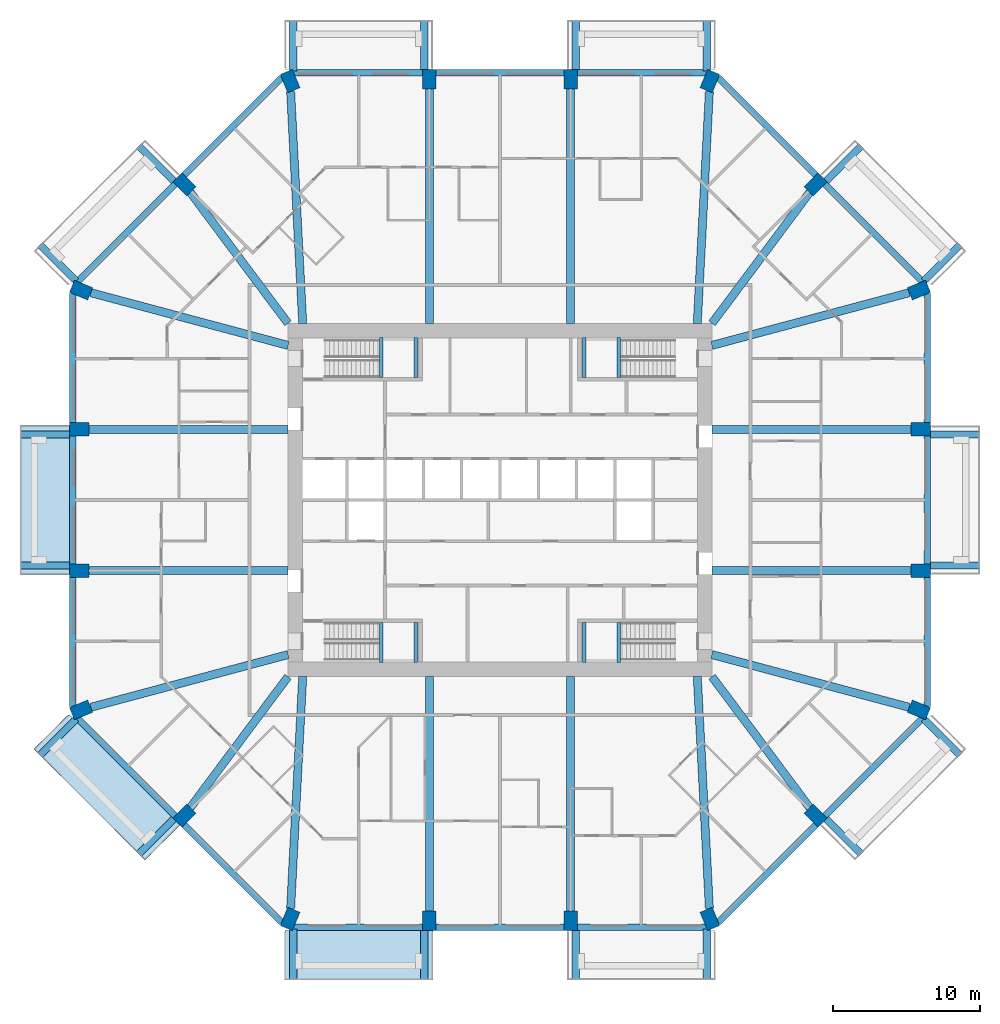
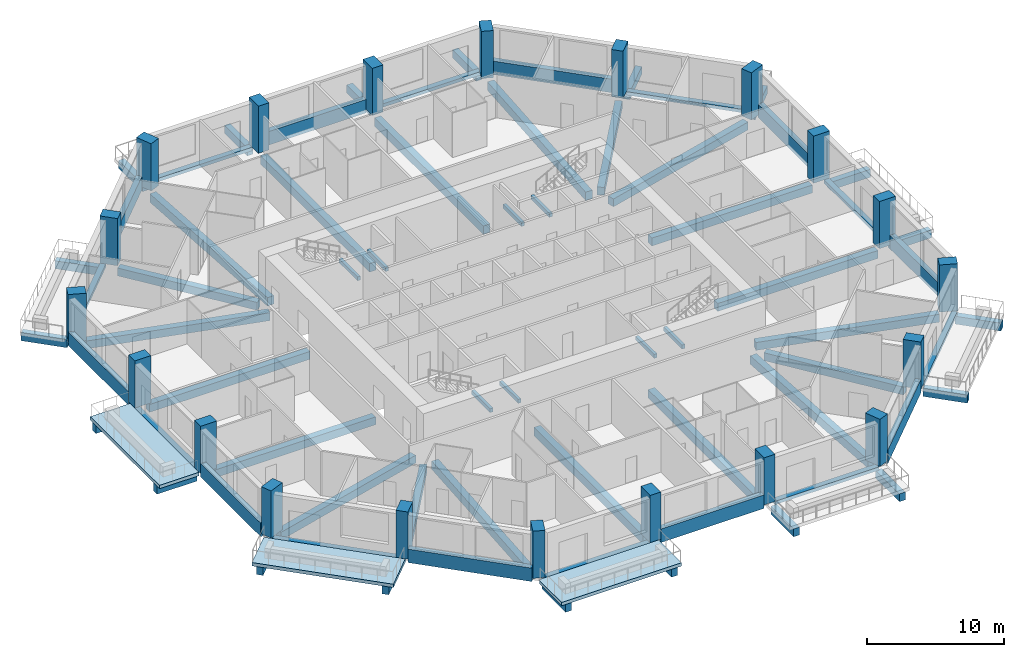
# One storey, part 1 of 13: 68 beams, 20 columns, 3 slabs.
"""IFC4 building model written with IfcOpenShell, lengths in metres."""

import ifcopenshell
import ifcopenshell.guid

model = None  # the IFC model being written
_history = None  # IfcOwnerHistory: only IFC2X3 demands one
_inside = {}  # id of a spatial element -> (the spatial element, [elements in it])
_under = {}  # id of a project, library or spatial element -> (it, [spatial elements below it])
_declared = {}  # id of a project -> (the project, [libraries it declares])
_typed = {}  # id of a type object -> (the type object, [elements of that type])
_made_of = {}  # id of a material, layer set ... -> (it, [elements and type objects made of it])


def new_model(schema):
    """Start an empty IFC model of exactly this schema.

    Asked for "IFC4X3", IfcOpenShell would pick the latest addendum, in which some entities
    have other attributes; the version numbers below select the first issue.
    IFC2X3 requires an IfcOwnerHistory on every rooted entity: one is made here for all.
    """
    global model, _history
    if schema == "IFC4X3":
        model = ifcopenshell.file(schema_version=(4, 3, 0, 0))
    else:
        model = ifcopenshell.file(schema=schema)
    _inside.clear()
    _under.clear()
    _declared.clear()
    _typed.clear()
    _made_of.clear()
    _history = None
    if model.schema == "IFC2X3":
        org = make("IfcOrganization", Name="unknown")
        user = make(
            "IfcPersonAndOrganization",
            ThePerson=make("IfcPerson", FamilyName="unknown"),
            TheOrganization=org,
        )
        app = make(
            "IfcApplication",
            ApplicationDeveloper=org,
            Version="unknown",
            ApplicationFullName="unknown",
            ApplicationIdentifier="unknown",
        )
        _history = make(
            "IfcOwnerHistory",
            OwningUser=user,
            OwningApplication=app,
            ChangeAction="ADDED",
            CreationDate=0,
        )
    return model


def make(cls, **values):
    """One entity of the class cls with the attributes given. An attribute that is None is left unset."""
    return model.create_entity(
        cls, **{name: value for name, value in values.items() if value is not None}
    )


def rooted(cls, **values):
    """An entity with a GlobalId (a new one), such as an element, a storey or a relation."""
    return make(cls, GlobalId=ifcopenshell.guid.new(), OwnerHistory=_history, **values)


def si_unit(unit_type, name, prefix=None):
    """IfcSIUnit, for example si_unit("LENGTHUNIT", "METRE", prefix="MILLI")."""
    return make("IfcSIUnit", UnitType=unit_type, Prefix=prefix, Name=name)


def assignment(units):
    """IfcUnitAssignment: the units of a project."""
    return None if units is None else make("IfcUnitAssignment", Units=units)


def point(xyz):
    """IfcCartesianPoint."""
    return None if xyz is None else make("IfcCartesianPoint", Coordinates=xyz)


def direction(xyz):
    """IfcDirection."""
    return None if xyz is None else make("IfcDirection", DirectionRatios=xyz)


def frame(location, z_axis=None, x_axis=None):
    """IfcAxis2Placement3D, a coordinate frame: its origin and axes. An axis left out is left unset."""
    return make(
        "IfcAxis2Placement3D",
        Location=point(location),
        Axis=direction(z_axis),
        RefDirection=direction(x_axis),
    )


def frame_2d(location, x_axis=None):
    """IfcAxis2Placement2D, a coordinate frame in the plane: its origin and x axis."""
    return make(
        "IfcAxis2Placement2D", Location=point(location), RefDirection=direction(x_axis)
    )


def origin():
    """The frame at (0, 0, 0) with its axes left unset."""
    return frame((0.0, 0.0, 0.0))


def origin_2d():
    """The frame at (0, 0) in the plane with its x axis left unset."""
    return frame_2d((0.0, 0.0))


def place(relative_to, where):
    """IfcLocalPlacement: puts the frame where relative to a parent placement (None: the world)."""
    return make(
        "IfcLocalPlacement", PlacementRelTo=relative_to, RelativePlacement=where
    )


def context(
    kind, dimensions, precision=None, world=None, true_north=None, identifier=None
):
    """IfcGeometricRepresentationContext, for example the 3D "Model" context."""
    return make(
        "IfcGeometricRepresentationContext",
        ContextIdentifier=identifier,
        ContextType=kind,
        CoordinateSpaceDimension=dimensions,
        Precision=precision,
        WorldCoordinateSystem=world,
        TrueNorth=true_north,
    )


def subcontext(parent, identifier, kind, view, scale=None):
    """IfcGeometricRepresentationSubContext, for example "Body" below "Model"."""
    return make(
        "IfcGeometricRepresentationSubContext",
        ContextIdentifier=identifier,
        ContextType=kind,
        ParentContext=parent,
        TargetScale=scale,
        TargetView=view,
    )


def project(units=None, contexts=None):
    """IfcProject with its units and contexts."""
    return rooted(
        "IfcProject",
        Name="project",
        RepresentationContexts=contexts,
        UnitsInContext=assignment(units),
    )


def spatial(cls, under=None, at=None, **own):
    """A site, building, storey or space (cls), placed at a placement, below another one or the project."""
    s = rooted(cls, ObjectPlacement=at, **own)
    if under is not None:
        _under.setdefault(under.id(), (under, []))[1].append(s)
    return s


def polyline(points):
    """IfcPolyline through the points."""
    return make("IfcPolyline", Points=[point(p) for p in points])


def profile(cls, at=None, kind="AREA", **sizes):
    """A parametric profile (cls). Its sizes go by their IFC names, for example OverallWidth=200.0."""
    return make(cls, ProfileType=kind, Position=at, **sizes)


def rectangle(**sizes):
    """IfcRectangleProfileDef."""
    return profile("IfcRectangleProfileDef", **sizes)


def outline(outer, holes=None, kind="AREA"):
    """IfcArbitraryClosedProfileDef: a profile drawn as a closed curve; with holes, ...WithVoids."""
    if holes is None:
        return make("IfcArbitraryClosedProfileDef", ProfileType=kind, OuterCurve=outer)
    return make(
        "IfcArbitraryProfileDefWithVoids",
        ProfileType=kind,
        OuterCurve=outer,
        InnerCurves=holes,
    )


def extrude(swept, where, along, depth):
    """IfcExtrudedAreaSolid: the profile swept, set in the frame where, extruded along a direction by depth."""
    return make(
        "IfcExtrudedAreaSolid",
        SweptArea=swept,
        Position=where,
        ExtrudedDirection=direction(along),
        Depth=depth,
    )


def shape(context_of_items, identifier, shape_type, items):
    """IfcShapeRepresentation: the items that make up one representation, for example the "Body"."""
    return make(
        "IfcShapeRepresentation",
        ContextOfItems=context_of_items,
        RepresentationIdentifier=identifier,
        RepresentationType=shape_type,
        Items=items,
    )


def material(Name=None, Category=None):
    """IfcMaterial."""
    return make("IfcMaterial", Name=Name, Category=Category)


def layer(
    of_material, thickness, ventilated=None, Name=None, Category=None, Priority=None
):
    """IfcMaterialLayer: one layer of a wall or slab, of a material (None: an air gap)."""
    return make(
        "IfcMaterialLayer",
        Material=of_material,
        LayerThickness=thickness,
        IsVentilated=ventilated,
        Name=Name,
        Category=Category,
        Priority=Priority,
    )


def layer_set(layers, Name=None):
    """IfcMaterialLayerSet."""
    return make("IfcMaterialLayerSet", MaterialLayers=layers, LayerSetName=Name)


def material_profile(
    of_material, cross_section, Name=None, Category=None, Priority=None
):
    """IfcMaterialProfile: a cross section and its material."""
    return make(
        "IfcMaterialProfile",
        Name=Name,
        Material=of_material,
        Profile=cross_section,
        Priority=Priority,
        Category=Category,
    )


def profile_set(profiles, Name=None, composite=None):
    """IfcMaterialProfileSet."""
    return make(
        "IfcMaterialProfileSet",
        Name=Name,
        MaterialProfiles=profiles,
        CompositeProfile=composite,
    )


def made_of(thing, what):
    """Note that an element or type object is made of a material, layer set ...; save() writes the relation."""
    if what is not None:
        _made_of.setdefault(what.id(), (what, []))[1].append(thing)
    return thing


def type_object(cls, material=None, **own):
    """A type object (cls), such as IfcWallType, which elements share."""
    return made_of(rooted(cls, **own), material)


def element(
    cls,
    number,
    at=None,
    inside=None,
    cuts=None,
    type_object=None,
    material=None,
    context=None,
    identifier="Body",
    shape_type=None,
    held_by="IfcProductDefinitionShape",
    body=None,
    shapes=None,
    **own,
):
    """One element of the class cls, such as IfcWall. Its Tag is "e" and its number.

    at: its placement. inside: the storey or other place that contains it. cuts: it is an
    opening in that element (IfcRelVoidsElement). A single representation is given by context,
    identifier, shape_type and body (its items); several are given by shapes. held_by: the class
    of the entity that holds the representations. save() writes the other relations.
    """
    e = rooted(cls, Tag="e%d" % number, ObjectPlacement=at, **own)
    if body is not None:
        shapes = [shape(context, identifier, shape_type, body)]
    if shapes is not None:
        e.Representation = make(held_by, Representations=shapes)
    if inside is not None:
        _inside.setdefault(inside.id(), (inside, []))[1].append(e)
    if cuts is not None:
        rooted(
            "IfcRelVoidsElement", RelatingBuildingElement=cuts, RelatedOpeningElement=e
        )
    if type_object is not None:
        _typed.setdefault(type_object.id(), (type_object, []))[1].append(e)
    return made_of(e, material)


def aggregate(whole, parts):
    """IfcRelAggregates: a whole, such as a stair, and the parts it consists of."""
    return rooted("IfcRelAggregates", RelatingObject=whole, RelatedObjects=parts)


def save(model, path):
    """Write the relations noted so far, then the file.

    IfcRelAggregates (storeys below a building ...), IfcRelContainedInSpatialStructure (elements
    in a storey), IfcRelDefinesByType, IfcRelAssociatesMaterial and IfcRelDeclares: one each for
    every whole, place, type object, material and project.
    """
    for whole, parts in _under.values():
        aggregate(whole, parts)
    for where, things in _inside.values():
        rooted(
            "IfcRelContainedInSpatialStructure",
            RelatedElements=things,
            RelatingStructure=where,
        )
    for kind, things in _typed.values():
        rooted("IfcRelDefinesByType", RelatedObjects=things, RelatingType=kind)
    for what, things in _made_of.values():
        rooted("IfcRelAssociatesMaterial", RelatedObjects=things, RelatingMaterial=what)
    for by, libraries in _declared.values():
        rooted("IfcRelDeclares", RelatingContext=by, RelatedDefinitions=libraries)
    model.write(path)


model = new_model("IFC4")

# Units and contexts
model_context = context("Model", 3, precision=1e-05, world=origin(), true_north=direction((0.0, 1.0)))
body_context = subcontext(model_context, "Body", "Model", "MODEL_VIEW")
ifc_project = project(units=[si_unit("LENGTHUNIT", "METRE"), si_unit("AREAUNIT", "SQUARE_METRE"), si_unit("VOLUMEUNIT", "CUBIC_METRE"), si_unit("PLANEANGLEUNIT", "RADIAN"), si_unit("MASSUNIT", "GRAM", prefix="KILO")], contexts=[model_context])

# Site, building, storey
site_placement = place(None, origin())
site = spatial("IfcSite", under=ifc_project, at=site_placement, CompositionType="ELEMENT")
building_placement = place(site_placement, origin())
building = spatial("IfcBuilding", under=site, at=building_placement, Name="Msitu Wima Residences", CompositionType="ELEMENT")
storey_placement = place(building_placement, frame((0.0, 0.0, 38.10009765625)))
storey = spatial("IfcBuildingStorey", under=building, at=storey_placement, Name="L08", CompositionType="ELEMENT", Elevation=38.10009765625)

# Columns
ifc_material_1 = material(Name="Concrete C80/95", Category="concrete")
ifc_material_profile_1 = material_profile(ifc_material_1, rectangle(XDim=0.89990234375, YDim=1.35009765625, at=origin_2d()), Name="RC 900x1350")
ifc_profile_set_1 = profile_set([ifc_material_profile_1], Name="Concrete C80/95")
column_type = type_object("IfcColumnType", Name="Column RC 900x1350 Concrete C80/95", PredefinedType="COLUMN", material=ifc_profile_set_1)
for number, where, z_axis, x_axis, name in (
    (1, (28.4541015625, -14.2568359375, 0.0), (0.0, 0.0, 1.0), (0.382683496864, 0.923879505795, 0.0), "Column L08 C-E0"),
    (2, (28.574951171875, -4.800048828125, 0.0), (0.0, 0.0, 1.0), (0.0, 1.0, 0.0), "Column L08 C-E1"),
    (3, (28.574951171875, 4.800048828125, 0.0), (0.0, 0.0, 1.0), (0.0, 1.0, 0.0), "Column L08 C-E2"),
    (4, (28.4541015625, 14.2568359375, 0.0), (0.0, 0.0, 1.0), (-0.382683496864, 0.923879505795, 0.0), "Column L08 C-NE0"),
    (5, (21.44091796875, 21.44091796875, 0.0), (0.0, 0.0, 1.0), (-0.707106781187, 0.707106781187, 0.0), "Column L08 C-NE1"),
    (6, (14.2568359375, 28.4541015625, 0.0), (0.0, 0.0, 1.0), (-0.923879505795, 0.382683496864, 0.0), "Column L08 C-N0"),
    (7, (4.800048828125, 28.574951171875, 0.0), (0.0, 0.0, 1.0), (-1.0, 0.0, 0.0), "Column L08 C-N1"),
    (8, (-4.800048828125, 28.574951171875, 0.0), (0.0, 0.0, 1.0), (-1.0, 0.0, 0.0), "Column L08 C-N2"),
    (9, (-14.2568359375, 28.4541015625, 0.0), (0.0, 0.0, 1.0), (-0.923879505795, -0.382683496864, 0.0), "Column L08 C-NW0"),
    (10, (-21.44091796875, 21.44091796875, 0.0), (0.0, 0.0, 1.0), (-0.707106781187, -0.707106781187, 0.0), "Column L08 C-NW1"),
    (11, (-28.4541015625, 14.2568359375, 0.0), (0.0, 0.0, 1.0), (-0.382683496864, -0.923879505795, 0.0), "Column L08 C-W0"),
    (12, (-28.574951171875, 4.800048828125, 0.0), (0.0, 0.0, 1.0), (0.0, -1.0, 0.0), "Column L08 C-W1"),
    (13, (-28.574951171875, -4.800048828125, 0.0), (0.0, 0.0, 1.0), (0.0, -1.0, 0.0), "Column L08 C-W2"),
    (14, (-28.4541015625, -14.2568359375, 0.0), (0.0, 0.0, 1.0), (0.382683496864, -0.923879505795, 0.0), "Column L08 C-SW0"),
    (15, (-21.44091796875, -21.44091796875, 0.0), (0.0, 0.0, 1.0), (0.707106781187, -0.707106781187, 0.0), "Column L08 C-SW1"),
    (16, (-14.2568359375, -28.4541015625, 0.0), (0.0, 0.0, 1.0), (0.923879505795, -0.382683496864, 0.0), "Column L08 C-S0"),
    (17, (-4.800048828125, -28.574951171875, 0.0), (0.0, 0.0, 1.0), (1.0, 0.0, 0.0), "Column L08 C-S1"),
    (18, (4.800048828125, -28.574951171875, 0.0), (0.0, 0.0, 1.0), (1.0, 0.0, 0.0), "Column L08 C-S2"),
    (19, (14.2568359375, -28.4541015625, 0.0), (0.0, 0.0, 1.0), (0.923879505795, 0.382683496864, 0.0), "Column L08 C-SE0"),
    (20, (21.44091796875, -21.44091796875, 0.0), (0.0, 0.0, 1.0), (0.707106781187, 0.707106781187, 0.0), "Column L08 C-SE1"),
):
    element("IfcColumn", number, at=place(storey_placement, frame(where, z_axis=z_axis, x_axis=x_axis)), inside=storey, type_object=column_type, Name=name, PredefinedType="COLUMN", context=body_context, shape_type="SweptSolid", body=[
        extrude(rectangle(XDim=0.89990234375, YDim=1.35009765625, at=origin_2d()), origin(), (0.0, 0.0, 1.0), 4.199951171875),
    ])

# Beams
ifc_material_2 = material(Name="Concrete C50/60", Category="concrete")
ifc_material_profile_2 = material_profile(ifc_material_2, rectangle(XDim=0.550048828125, YDim=0.699951171875, at=origin_2d()), Name="RC 550x700")
ifc_profile_set_2 = profile_set([ifc_material_profile_2], Name="Concrete C50/60")
beam_type_1 = type_object("IfcBeamType", Name="Beam RC 550x700 Concrete C50/60", PredefinedType="BEAM", material=ifc_profile_set_2)
beam_1_placement = place(storey_placement, frame((27.79638671875, -14.080810546875, -0.60009765625), z_axis=(-0.966081778408, 0.258236320891, 0.0), x_axis=(-0.258236320891, -0.966081778408, 0.0)))
element("IfcBeam", 21, at=beam_1_placement, inside=storey, type_object=beam_type_1, Name="Beam L08 C-E0", PredefinedType="BEAM", context=body_context, shape_type="SweptSolid", body=[
    extrude(rectangle(XDim=0.550048828125, YDim=0.699951171875, at=origin_2d()), origin(), (0.0, 0.0, 1.0), 13.878662109375),
])
for number, where, z_axis, x_axis, name in (
    (22, (27.89990234375, -4.800048828125, -0.60009765625), (-1.0, 0.0, 0.0), (0.0, -1.0, 0.0), "Beam L08 C-E1"),
    (23, (27.89990234375, 4.800048828125, -0.60009765625), (-1.0, 0.0, 0.0), (0.0, -1.0, 0.0), "Beam L08 C-E2"),
):
    element("IfcBeam", number, at=place(storey_placement, frame(where, z_axis=z_axis, x_axis=x_axis)), inside=storey, type_object=beam_type_1, Name=name, PredefinedType="BEAM", context=body_context, shape_type="SweptSolid", body=[
        extrude(rectangle(XDim=0.550048828125, YDim=0.699951171875, at=origin_2d()), origin(), (0.0, 0.0, 1.0), 13.5),
    ])
beam_2_placement = place(storey_placement, frame((27.79638671875, 14.080810546875, -0.60009765625), z_axis=(-0.966081778408, -0.258236320891, 0.0), x_axis=(0.258236320891, -0.966081778408, 0.0)))
element("IfcBeam", 24, at=beam_2_placement, inside=storey, type_object=beam_type_1, Name="Beam L08 C-NE0", PredefinedType="BEAM", context=body_context, shape_type="SweptSolid", body=[
    extrude(rectangle(XDim=0.550048828125, YDim=0.699951171875, at=origin_2d()), origin(), (0.0, 0.0, 1.0), 13.878662109375),
])
for number, where, z_axis, x_axis, name in (
    (25, (21.033203125, 20.89404296875, -0.60009765625), (-0.597850242031, -0.801607814398, 0.0), (0.801607814398, -0.597850242031, 0.0), "Beam L08 C-NE1"),
    (26, (-21.033203125, 20.89404296875, -0.60009765625), (0.597850242031, -0.801607814398, 0.0), (0.801607814398, 0.597850242031, 0.0), "Beam L08 C-NW1"),
):
    element("IfcBeam", number, at=place(storey_placement, frame(where, z_axis=z_axis, x_axis=x_axis)), inside=storey, type_object=beam_type_1, Name=name, PredefinedType="BEAM", context=body_context, shape_type="SweptSolid", body=[
        extrude(rectangle(XDim=0.550048828125, YDim=0.699951171875, at=origin_2d()), origin(), (0.0, 0.0, 1.0), 11.09521484375),
    ])
beam_3_placement = place(storey_placement, frame((-27.79638671875, 14.080810546875, -0.60009765625), z_axis=(0.966081778408, -0.258236320891, 0.0), x_axis=(0.258236320891, 0.966081778408, 0.0)))
element("IfcBeam", 27, at=beam_3_placement, inside=storey, type_object=beam_type_1, Name="Beam L08 C-W0", PredefinedType="BEAM", context=body_context, shape_type="SweptSolid", body=[
    extrude(rectangle(XDim=0.550048828125, YDim=0.699951171875, at=origin_2d()), origin(), (0.0, 0.0, 1.0), 13.878662109375),
])
for number, where, z_axis, x_axis, name in (
    (28, (-27.89990234375, 4.800048828125, -0.60009765625), (1.0, 0.0, 0.0), (0.0, 1.0, 0.0), "Beam L08 C-W1"),
    (29, (-27.89990234375, -4.800048828125, -0.60009765625), (1.0, 0.0, 0.0), (0.0, 1.0, 0.0), "Beam L08 C-W2"),
):
    element("IfcBeam", number, at=place(storey_placement, frame(where, z_axis=z_axis, x_axis=x_axis)), inside=storey, type_object=beam_type_1, Name=name, PredefinedType="BEAM", context=body_context, shape_type="SweptSolid", body=[
        extrude(rectangle(XDim=0.550048828125, YDim=0.699951171875, at=origin_2d()), origin(), (0.0, 0.0, 1.0), 13.5),
    ])
beam_4_placement = place(storey_placement, frame((-27.79638671875, -14.080810546875, -0.60009765625), z_axis=(0.966081778408, 0.258236320891, 0.0), x_axis=(-0.258236320891, 0.966081778408, 0.0)))
element("IfcBeam", 30, at=beam_4_placement, inside=storey, type_object=beam_type_1, Name="Beam L08 C-SW0", PredefinedType="BEAM", context=body_context, shape_type="SweptSolid", body=[
    extrude(rectangle(XDim=0.550048828125, YDim=0.699951171875, at=origin_2d()), origin(), (0.0, 0.0, 1.0), 13.878662109375),
])
for number, where, z_axis, x_axis, name in (
    (31, (-21.033203125, -20.89404296875, -0.60009765625), (0.597850242031, 0.801607814398, 0.0), (-0.801607814398, 0.597850242031, 0.0), "Beam L08 C-SW1"),
    (32, (21.033203125, -20.89404296875, -0.60009765625), (-0.597850242031, 0.801607814398, 0.0), (-0.801607814398, -0.597850242031, 0.0), "Beam L08 C-SE1"),
):
    element("IfcBeam", number, at=place(storey_placement, frame(where, z_axis=z_axis, x_axis=x_axis)), inside=storey, type_object=beam_type_1, Name=name, PredefinedType="BEAM", context=body_context, shape_type="SweptSolid", body=[
        extrude(rectangle(XDim=0.550048828125, YDim=0.699951171875, at=origin_2d()), origin(), (0.0, 0.0, 1.0), 11.09521484375),
    ])
ifc_material_profile_3 = material_profile(ifc_material_2, rectangle(XDim=0.550048828125, YDim=0.75, at=origin_2d()), Name="RC 550x750")
ifc_profile_set_3 = profile_set([ifc_material_profile_3], Name="Concrete C50/60")
beam_type_2 = type_object("IfcBeamType", Name="Beam RC 550x750 Concrete C50/60", PredefinedType="BEAM", material=ifc_profile_set_3)
beam_5_placement = place(storey_placement, frame((14.219482421875, 27.739013671875, -0.625), z_axis=(-0.05199418091, -0.998647387796, 0.0), x_axis=(0.998647387796, -0.05199418091, 0.0)))
element("IfcBeam", 33, at=beam_5_placement, inside=storey, type_object=beam_type_2, Name="Beam L08 C-N0", PredefinedType="BEAM", context=body_context, shape_type="SweptSolid", body=[
    extrude(rectangle(XDim=0.550048828125, YDim=0.75, at=origin_2d()), origin(), (0.0, 0.0, 1.0), 15.772216796875),
])
for number, where, z_axis, x_axis, name in (
    (34, (4.800048828125, 27.89990234375, -0.625), (0.0, -1.0, 0.0), (1.0, 0.0, 0.0), "Beam L08 C-N1"),
    (35, (-4.800048828125, 27.89990234375, -0.625), (0.0, -1.0, 0.0), (1.0, 0.0, 0.0), "Beam L08 C-N2"),
):
    element("IfcBeam", number, at=place(storey_placement, frame(where, z_axis=z_axis, x_axis=x_axis)), inside=storey, type_object=beam_type_2, Name=name, PredefinedType="BEAM", context=body_context, shape_type="SweptSolid", body=[
        extrude(rectangle(XDim=0.550048828125, YDim=0.75, at=origin_2d()), origin(), (0.0, 0.0, 1.0), 15.89990234375),
    ])
for number, where, z_axis, x_axis, name in (
    (36, (-14.219482421875, 27.739013671875, -0.625), (0.05199418091, -0.998647387796, 0.0), (0.998647387796, 0.05199418091, 0.0), "Beam L08 C-NW0"),
    (37, (-14.219482421875, -27.739013671875, -0.625), (0.05199418091, 0.998647387796, 0.0), (-0.998647387796, 0.05199418091, 0.0), "Beam L08 C-S0"),
):
    element("IfcBeam", number, at=place(storey_placement, frame(where, z_axis=z_axis, x_axis=x_axis)), inside=storey, type_object=beam_type_2, Name=name, PredefinedType="BEAM", context=body_context, shape_type="SweptSolid", body=[
        extrude(rectangle(XDim=0.550048828125, YDim=0.75, at=origin_2d()), origin(), (0.0, 0.0, 1.0), 15.772216796875),
    ])
for number, where, z_axis, x_axis, name in (
    (38, (-4.800048828125, -27.89990234375, -0.625), (0.0, 1.0, 0.0), (-1.0, 0.0, 0.0), "Beam L08 C-S1"),
    (39, (4.800048828125, -27.89990234375, -0.625), (0.0, 1.0, 0.0), (-1.0, 0.0, 0.0), "Beam L08 C-S2"),
):
    element("IfcBeam", number, at=place(storey_placement, frame(where, z_axis=z_axis, x_axis=x_axis)), inside=storey, type_object=beam_type_2, Name=name, PredefinedType="BEAM", context=body_context, shape_type="SweptSolid", body=[
        extrude(rectangle(XDim=0.550048828125, YDim=0.75, at=origin_2d()), origin(), (0.0, 0.0, 1.0), 15.89990234375),
    ])
beam_6_placement = place(storey_placement, frame((14.219482421875, -27.739013671875, -0.625), z_axis=(-0.05199418091, 0.998647387796, 0.0), x_axis=(-0.998647387796, -0.05199418091, 0.0)))
element("IfcBeam", 40, at=beam_6_placement, inside=storey, type_object=beam_type_2, Name="Beam L08 C-SE0", PredefinedType="BEAM", context=body_context, shape_type="SweptSolid", body=[
    extrude(rectangle(XDim=0.550048828125, YDim=0.75, at=origin_2d()), origin(), (0.0, 0.0, 1.0), 15.772216796875),
])
ifc_material_profile_4 = material_profile(ifc_material_2, rectangle(XDim=0.5, YDim=0.699951171875, at=origin_2d()), Name="RC 500x700")
ifc_profile_set_4 = profile_set([ifc_material_profile_4], Name="Concrete C50/60")
beam_type_3 = type_object("IfcBeamType", Name="Cantilever beam RC 500x700 Concrete C50/60", PredefinedType="BEAM", material=ifc_profile_set_4)
for number, where, z_axis, x_axis, name in (
    (41, (29.25, -4.449951171875, -0.650146484375), (1.0, 0.0, 0.0), (0.0, 1.0, 0.0), "Cantilever beam L08 BA-E1 A"),
    (42, (29.25, 4.449951171875, -0.650146484375), (1.0, 0.0, 0.0), (0.0, 1.0, 0.0), "Cantilever beam L08 BA-E1 B"),
):
    element("IfcBeam", number, at=place(storey_placement, frame(where, z_axis=z_axis, x_axis=x_axis)), inside=storey, type_object=beam_type_3, Name=name, PredefinedType="BEAM", context=body_context, shape_type="SweptSolid", body=[
        extrude(rectangle(XDim=0.5, YDim=0.699951171875, at=origin_2d()), origin(), (0.0, 0.0, 1.0), 3.35009765625),
    ])
beam_7_placement = place(storey_placement, frame((28.78662109375, 14.881591796875, -0.650146484375), z_axis=(0.707106781187, 0.707106781187, 0.0), x_axis=(-0.707106781187, 0.707106781187, 0.0)))
element("IfcBeam", 43, at=beam_7_placement, inside=storey, type_object=beam_type_3, Name="Cantilever beam L08 BA-NE0 A", PredefinedType="BEAM", context=body_context, shape_type="SweptSolid", body=[
    extrude(rectangle(XDim=0.5, YDim=0.699951171875, at=origin_2d()), origin(), (0.0, 0.0, 1.0), 3.468994140625),
])
beam_8_placement = place(storey_placement, frame((22.165771484375, 21.670654296875, -0.650146484375), z_axis=(0.707070340836, 0.707143219659, 0.0), x_axis=(-0.707143219659, 0.707070340836, 0.0)))
element("IfcBeam", 44, at=beam_8_placement, inside=storey, type_object=beam_type_3, Name="Cantilever beam L08 BA-NE0 B", PredefinedType="BEAM", context=body_context, shape_type="SweptSolid", body=[
    extrude(rectangle(XDim=0.5, YDim=0.699951171875, at=origin_2d()), origin(), (0.0, 0.0, 1.0), 3.349853515625),
])
beam_9_placement = place(storey_placement, frame((14.050048828125, 29.130859375, -0.650146484375), z_axis=(0.0, 1.0, 0.0), x_axis=(-1.0, 0.0, 0.0)))
element("IfcBeam", 45, at=beam_9_placement, inside=storey, type_object=beam_type_3, Name="Cantilever beam L08 BA-N0 A", PredefinedType="BEAM", context=body_context, shape_type="SweptSolid", body=[
    extrude(rectangle(XDim=0.5, YDim=0.699951171875, at=origin_2d()), origin(), (0.0, 0.0, 1.0), 3.46923828125),
])
for number, where, z_axis, x_axis, name in (
    (46, (5.14990234375, 29.25, -0.650146484375), (0.0, 1.0, 0.0), (-1.0, 0.0, 0.0), "Cantilever beam L08 BA-N0 B"),
    (47, (-5.14990234375, 29.25, -0.650146484375), (0.0, 1.0, 0.0), (-1.0, 0.0, 0.0), "Cantilever beam L08 BA-N2 A"),
):
    element("IfcBeam", number, at=place(storey_placement, frame(where, z_axis=z_axis, x_axis=x_axis)), inside=storey, type_object=beam_type_3, Name=name, PredefinedType="BEAM", context=body_context, shape_type="SweptSolid", body=[
        extrude(rectangle(XDim=0.5, YDim=0.699951171875, at=origin_2d()), origin(), (0.0, 0.0, 1.0), 3.35009765625),
    ])
beam_10_placement = place(storey_placement, frame((-14.050048828125, 29.130859375, -0.650146484375), z_axis=(0.0, 1.0, 0.0), x_axis=(-1.0, 0.0, 0.0)))
element("IfcBeam", 48, at=beam_10_placement, inside=storey, type_object=beam_type_3, Name="Cantilever beam L08 BA-N2 B", PredefinedType="BEAM", context=body_context, shape_type="SweptSolid", body=[
    extrude(rectangle(XDim=0.5, YDim=0.699951171875, at=origin_2d()), origin(), (0.0, 0.0, 1.0), 3.46923828125),
])
beam_11_placement = place(storey_placement, frame((-22.165771484375, 21.670654296875, -0.650146484375), z_axis=(-0.707070340836, 0.707143219659, 0.0), x_axis=(-0.707143219659, -0.707070340836, 0.0)))
element("IfcBeam", 49, at=beam_11_placement, inside=storey, type_object=beam_type_3, Name="Cantilever beam L08 BA-NW1 A", PredefinedType="BEAM", context=body_context, shape_type="SweptSolid", body=[
    extrude(rectangle(XDim=0.5, YDim=0.699951171875, at=origin_2d()), origin(), (0.0, 0.0, 1.0), 3.349853515625),
])
beam_12_placement = place(storey_placement, frame((-28.78662109375, 14.881591796875, -0.650146484375), z_axis=(-0.707106781187, 0.707106781187, 0.0), x_axis=(-0.707106781187, -0.707106781187, 0.0)))
element("IfcBeam", 50, at=beam_12_placement, inside=storey, type_object=beam_type_3, Name="Cantilever beam L08 BA-NW1 B", PredefinedType="BEAM", context=body_context, shape_type="SweptSolid", body=[
    extrude(rectangle(XDim=0.5, YDim=0.699951171875, at=origin_2d()), origin(), (0.0, 0.0, 1.0), 3.468994140625),
])
for number, where, z_axis, x_axis, name in (
    (51, (-29.25, 4.449951171875, -0.650146484375), (-1.0, 0.0, 0.0), (0.0, -1.0, 0.0), "Cantilever beam L08 BA-W1 A"),
    (52, (-29.25, -4.449951171875, -0.650146484375), (-1.0, 0.0, 0.0), (0.0, -1.0, 0.0), "Cantilever beam L08 BA-W1 B"),
):
    element("IfcBeam", number, at=place(storey_placement, frame(where, z_axis=z_axis, x_axis=x_axis)), inside=storey, type_object=beam_type_3, Name=name, PredefinedType="BEAM", context=body_context, shape_type="SweptSolid", body=[
        extrude(rectangle(XDim=0.5, YDim=0.699951171875, at=origin_2d()), origin(), (0.0, 0.0, 1.0), 3.35009765625),
    ])
beam_13_placement = place(storey_placement, frame((-28.78662109375, -14.881591796875, -0.650146484375), z_axis=(-0.707106781187, -0.707106781187, 0.0), x_axis=(0.707106781187, -0.707106781187, 0.0)))
element("IfcBeam", 53, at=beam_13_placement, inside=storey, type_object=beam_type_3, Name="Cantilever beam L08 BA-SW0 A", PredefinedType="BEAM", context=body_context, shape_type="SweptSolid", body=[
    extrude(rectangle(XDim=0.5, YDim=0.699951171875, at=origin_2d()), origin(), (0.0, 0.0, 1.0), 3.468994140625),
])
beam_14_placement = place(storey_placement, frame((-22.165771484375, -21.670654296875, -0.650146484375), z_axis=(-0.707070340836, -0.707143219659, 0.0), x_axis=(0.707143219659, -0.707070340836, 0.0)))
element("IfcBeam", 54, at=beam_14_placement, inside=storey, type_object=beam_type_3, Name="Cantilever beam L08 BA-SW0 B", PredefinedType="BEAM", context=body_context, shape_type="SweptSolid", body=[
    extrude(rectangle(XDim=0.5, YDim=0.699951171875, at=origin_2d()), origin(), (0.0, 0.0, 1.0), 3.349853515625),
])
beam_15_placement = place(storey_placement, frame((-14.050048828125, -29.130859375, -0.650146484375), z_axis=(0.0, -1.0, 0.0), x_axis=(1.0, 0.0, 0.0)))
element("IfcBeam", 55, at=beam_15_placement, inside=storey, type_object=beam_type_3, Name="Cantilever beam L08 BA-S0 A", PredefinedType="BEAM", context=body_context, shape_type="SweptSolid", body=[
    extrude(rectangle(XDim=0.5, YDim=0.699951171875, at=origin_2d()), origin(), (0.0, 0.0, 1.0), 3.46923828125),
])
for number, where, z_axis, x_axis, name in (
    (56, (-5.14990234375, -29.25, -0.650146484375), (0.0, -1.0, 0.0), (1.0, 0.0, 0.0), "Cantilever beam L08 BA-S0 B"),
    (57, (5.14990234375, -29.25, -0.650146484375), (0.0, -1.0, 0.0), (1.0, 0.0, 0.0), "Cantilever beam L08 BA-S2 A"),
):
    element("IfcBeam", number, at=place(storey_placement, frame(where, z_axis=z_axis, x_axis=x_axis)), inside=storey, type_object=beam_type_3, Name=name, PredefinedType="BEAM", context=body_context, shape_type="SweptSolid", body=[
        extrude(rectangle(XDim=0.5, YDim=0.699951171875, at=origin_2d()), origin(), (0.0, 0.0, 1.0), 3.35009765625),
    ])
beam_16_placement = place(storey_placement, frame((14.050048828125, -29.130859375, -0.650146484375), z_axis=(0.0, -1.0, 0.0), x_axis=(1.0, 0.0, 0.0)))
element("IfcBeam", 58, at=beam_16_placement, inside=storey, type_object=beam_type_3, Name="Cantilever beam L08 BA-S2 B", PredefinedType="BEAM", context=body_context, shape_type="SweptSolid", body=[
    extrude(rectangle(XDim=0.5, YDim=0.699951171875, at=origin_2d()), origin(), (0.0, 0.0, 1.0), 3.46923828125),
])
beam_17_placement = place(storey_placement, frame((22.165771484375, -21.670654296875, -0.650146484375), z_axis=(0.707070340836, -0.707143219659, 0.0), x_axis=(0.707143219659, 0.707070340836, 0.0)))
element("IfcBeam", 59, at=beam_17_placement, inside=storey, type_object=beam_type_3, Name="Cantilever beam L08 BA-SE1 A", PredefinedType="BEAM", context=body_context, shape_type="SweptSolid", body=[
    extrude(rectangle(XDim=0.5, YDim=0.699951171875, at=origin_2d()), origin(), (0.0, 0.0, 1.0), 3.349853515625),
])
beam_18_placement = place(storey_placement, frame((28.78662109375, -14.881591796875, -0.650146484375), z_axis=(0.707106781187, -0.707106781187, 0.0), x_axis=(0.707106781187, 0.707106781187, 0.0)))
element("IfcBeam", 60, at=beam_18_placement, inside=storey, type_object=beam_type_3, Name="Cantilever beam L08 BA-SE1 B", PredefinedType="BEAM", context=body_context, shape_type="SweptSolid", body=[
    extrude(rectangle(XDim=0.5, YDim=0.699951171875, at=origin_2d()), origin(), (0.0, 0.0, 1.0), 3.468994140625),
])
ifc_material_profile_5 = material_profile(ifc_material_2, rectangle(XDim=0.449951171875, YDim=0.300048828125, at=origin_2d()), Name="RC 450x300")
ifc_profile_set_5 = profile_set([ifc_material_profile_5], Name="Concrete C50/60")
beam_type_4 = type_object("IfcBeamType", Name="Edge beam RC 450x300 Concrete C50/60", PredefinedType="SPANDREL", material=ifc_profile_set_5)
beam_19_placement = place(storey_placement, frame((29.02490234375, -4.35009765625, -0.150146484375), z_axis=(0.0, 1.0, 0.0), x_axis=(-1.0, 0.0, 0.0)))
element("IfcBeam", 61, at=beam_19_placement, inside=storey, type_object=beam_type_4, Name="Spandrel L08 E1", PredefinedType="SPANDREL", context=body_context, shape_type="SweptSolid", body=[
    extrude(rectangle(XDim=0.449951171875, YDim=0.300048828125, at=origin_2d()), origin(), (0.0, 0.0, 1.0), 8.7001953125),
])
beam_20_placement = place(storey_placement, frame((28.68896484375, 14.8291015625, -0.150146484375), z_axis=(-0.707093725903, 0.707119836229, 0.0), x_axis=(-0.707119836229, -0.707093725903, 0.0)))
element("IfcBeam", 62, at=beam_20_placement, inside=storey, type_object=beam_type_4, Name="Spandrel L08 NE0", PredefinedType="SPANDREL", context=body_context, shape_type="SweptSolid", body=[
    extrude(rectangle(XDim=0.449951171875, YDim=0.300048828125, at=origin_2d()), origin(), (0.0, 0.0, 1.0), 9.350341796875),
])
for number, where, z_axis, x_axis, name in (
    (63, (14.01806640625, 29.02490234375, -0.150146484375), (-1.0, 0.0, 0.0), (0.0, -1.0, 0.0), "Spandrel L08 N0"),
    (64, (-5.25, 29.02490234375, -0.150146484375), (-1.0, 0.0, 0.0), (0.0, -1.0, 0.0), "Spandrel L08 N2"),
):
    element("IfcBeam", number, at=place(storey_placement, frame(where, z_axis=z_axis, x_axis=x_axis)), inside=storey, type_object=beam_type_4, Name=name, PredefinedType="SPANDREL", context=body_context, shape_type="SweptSolid", body=[
        extrude(rectangle(XDim=0.449951171875, YDim=0.300048828125, at=origin_2d()), origin(), (0.0, 0.0, 1.0), 8.76806640625),
    ])
beam_21_placement = place(storey_placement, frame((-22.077392578125, 21.44091796875, -0.150146484375), z_axis=(-0.707093725903, -0.707119836229, 0.0), x_axis=(0.707119836229, -0.707093725903, 0.0)))
element("IfcBeam", 65, at=beam_21_placement, inside=storey, type_object=beam_type_4, Name="Spandrel L08 NW1", PredefinedType="SPANDREL", context=body_context, shape_type="SweptSolid", body=[
    extrude(rectangle(XDim=0.449951171875, YDim=0.300048828125, at=origin_2d()), origin(), (0.0, 0.0, 1.0), 9.350341796875),
])
beam_22_placement = place(storey_placement, frame((-29.02490234375, 4.35009765625, -0.150146484375), z_axis=(0.0, -1.0, 0.0), x_axis=(1.0, 0.0, 0.0)))
element("IfcBeam", 66, at=beam_22_placement, inside=storey, type_object=beam_type_4, Name="Spandrel L08 W1", PredefinedType="SPANDREL", context=body_context, shape_type="SweptSolid", body=[
    extrude(rectangle(XDim=0.449951171875, YDim=0.300048828125, at=origin_2d()), origin(), (0.0, 0.0, 1.0), 8.7001953125),
])
beam_23_placement = place(storey_placement, frame((-28.68896484375, -14.8291015625, -0.150146484375), z_axis=(0.707093725903, -0.707119836229, 0.0), x_axis=(0.707119836229, 0.707093725903, 0.0)))
element("IfcBeam", 67, at=beam_23_placement, inside=storey, type_object=beam_type_4, Name="Spandrel L08 SW0", PredefinedType="SPANDREL", context=body_context, shape_type="SweptSolid", body=[
    extrude(rectangle(XDim=0.449951171875, YDim=0.300048828125, at=origin_2d()), origin(), (0.0, 0.0, 1.0), 9.350341796875),
])
for number, where, z_axis, x_axis, name in (
    (68, (-14.01806640625, -29.02490234375, -0.150146484375), (1.0, 0.0, 0.0), (0.0, 1.0, 0.0), "Spandrel L08 S0"),
    (69, (5.25, -29.02490234375, -0.150146484375), (1.0, 0.0, 0.0), (0.0, 1.0, 0.0), "Spandrel L08 S2"),
):
    element("IfcBeam", number, at=place(storey_placement, frame(where, z_axis=z_axis, x_axis=x_axis)), inside=storey, type_object=beam_type_4, Name=name, PredefinedType="SPANDREL", context=body_context, shape_type="SweptSolid", body=[
        extrude(rectangle(XDim=0.449951171875, YDim=0.300048828125, at=origin_2d()), origin(), (0.0, 0.0, 1.0), 8.76806640625),
    ])
beam_24_placement = place(storey_placement, frame((22.077392578125, -21.44091796875, -0.150146484375), z_axis=(0.707093725903, 0.707119836229, 0.0), x_axis=(-0.707119836229, 0.707093725903, 0.0)))
element("IfcBeam", 70, at=beam_24_placement, inside=storey, type_object=beam_type_4, Name="Spandrel L08 SE1", PredefinedType="SPANDREL", context=body_context, shape_type="SweptSolid", body=[
    extrude(rectangle(XDim=0.449951171875, YDim=0.300048828125, at=origin_2d()), origin(), (0.0, 0.0, 1.0), 9.350341796875),
])
ifc_material_3 = material(Name="Concrete C40/50", Category="concrete")
ifc_material_profile_6 = material_profile(ifc_material_3, rectangle(XDim=0.25, YDim=0.35009765625, at=origin_2d()), Name="RC 250x350")
ifc_profile_set_6 = profile_set([ifc_material_profile_6], Name="Concrete C40/50")
beam_type_5 = type_object("IfcBeamType", Name="Landing beam RC 250x350", PredefinedType="BEAM", material=ifc_profile_set_6)
for number, where, z_axis, x_axis, name in (
    (71, (-8.074951171875, 8.324951171875, 1.724853515625), (0.0, 1.0, 0.0), (-1.0, 0.0, 0.0), "Stair 1 landing beam"),
    (72, (-5.72509765625, 8.324951171875, 1.724853515625), (0.0, 1.0, 0.0), (-1.0, 0.0, 0.0), "Stair 1 landing beam"),
    (73, (-8.074951171875, -11.02490234375, 1.724853515625), (0.0, 1.0, 0.0), (-1.0, 0.0, 0.0), "Stair 2 landing beam"),
    (74, (-5.72509765625, -11.02490234375, 1.724853515625), (0.0, 1.0, 0.0), (-1.0, 0.0, 0.0), "Stair 2 landing beam"),
    (75, (8.074951171875, 8.324951171875, 1.724853515625), (0.0, 1.0, 0.0), (-1.0, 0.0, 0.0), "Stair 3 landing beam"),
    (76, (5.72509765625, 8.324951171875, 1.724853515625), (0.0, 1.0, 0.0), (-1.0, 0.0, 0.0), "Stair 3 landing beam"),
    (77, (8.074951171875, -11.02490234375, 1.724853515625), (0.0, 1.0, 0.0), (-1.0, 0.0, 0.0), "Stair 4 landing beam"),
    (78, (5.72509765625, -11.02490234375, 1.724853515625), (0.0, 1.0, 0.0), (-1.0, 0.0, 0.0), "Stair 4 landing beam"),
):
    element("IfcBeam", number, at=place(storey_placement, frame(where, z_axis=z_axis, x_axis=x_axis)), inside=storey, type_object=beam_type_5, Name=name, PredefinedType="BEAM", context=body_context, shape_type="SweptSolid", body=[
        extrude(rectangle(XDim=0.25, YDim=0.35009765625, at=origin_2d()), origin(), (0.0, 0.0, 1.0), 2.699951171875),
    ])
ifc_material_profile_7 = material_profile(ifc_material_2, rectangle(XDim=0.449951171875, YDim=1.199951171875, at=origin_2d()), Name="RC 450x1200")
ifc_profile_set_7 = profile_set([ifc_material_profile_7], Name="Concrete C50/60")
beam_type_6 = type_object("IfcBeamType", Name="Spandrel RC 450x1200 Concrete C50/60", PredefinedType="SPANDREL", material=ifc_profile_set_7)
for number, where, z_axis, x_axis, name in (
    (79, (29.02490234375, -14.01806640625, 0.2998046875), (0.0, 1.0, 0.0), (-1.0, 0.0, 0.0), "Spandrel L08 E0"),
    (80, (29.02490234375, 5.25, 0.2998046875), (0.0, 1.0, 0.0), (-1.0, 0.0, 0.0), "Spandrel L08 E2"),
):
    element("IfcBeam", number, at=place(storey_placement, frame(where, z_axis=z_axis, x_axis=x_axis)), inside=storey, type_object=beam_type_6, Name=name, PredefinedType="SPANDREL", context=body_context, shape_type="SweptSolid", body=[
        extrude(rectangle(XDim=0.449951171875, YDim=1.199951171875, at=origin_2d()), origin(), (0.0, 0.0, 1.0), 8.76806640625),
    ])
beam_25_placement = place(storey_placement, frame((21.44091796875, 22.077392578125, 0.2998046875), z_axis=(-0.707119836229, 0.707093725903, 0.0), x_axis=(-0.707093725903, -0.707119836229, 0.0)))
element("IfcBeam", 81, at=beam_25_placement, inside=storey, type_object=beam_type_6, Name="Spandrel L08 NE1", PredefinedType="SPANDREL", context=body_context, shape_type="SweptSolid", body=[
    extrude(rectangle(XDim=0.449951171875, YDim=1.199951171875, at=origin_2d()), origin(), (0.0, 0.0, 1.0), 9.350341796875),
])
beam_26_placement = place(storey_placement, frame((4.35009765625, 29.02490234375, 0.2998046875), z_axis=(-1.0, 0.0, 0.0), x_axis=(0.0, -1.0, 0.0)))
element("IfcBeam", 82, at=beam_26_placement, inside=storey, type_object=beam_type_6, Name="Spandrel L08 N1", PredefinedType="SPANDREL", context=body_context, shape_type="SweptSolid", body=[
    extrude(rectangle(XDim=0.449951171875, YDim=1.199951171875, at=origin_2d()), origin(), (0.0, 0.0, 1.0), 8.7001953125),
])
beam_27_placement = place(storey_placement, frame((-14.8291015625, 28.68896484375, 0.2998046875), z_axis=(-0.707119836229, -0.707093725903, 0.0), x_axis=(0.707093725903, -0.707119836229, 0.0)))
element("IfcBeam", 83, at=beam_27_placement, inside=storey, type_object=beam_type_6, Name="Spandrel L08 NW0", PredefinedType="SPANDREL", context=body_context, shape_type="SweptSolid", body=[
    extrude(rectangle(XDim=0.449951171875, YDim=1.199951171875, at=origin_2d()), origin(), (0.0, 0.0, 1.0), 9.350341796875),
])
for number, where, z_axis, x_axis, name in (
    (84, (-29.02490234375, 14.01806640625, 0.2998046875), (0.0, -1.0, 0.0), (1.0, 0.0, 0.0), "Spandrel L08 W0"),
    (85, (-29.02490234375, -5.25, 0.2998046875), (0.0, -1.0, 0.0), (1.0, 0.0, 0.0), "Spandrel L08 W2"),
):
    element("IfcBeam", number, at=place(storey_placement, frame(where, z_axis=z_axis, x_axis=x_axis)), inside=storey, type_object=beam_type_6, Name=name, PredefinedType="SPANDREL", context=body_context, shape_type="SweptSolid", body=[
        extrude(rectangle(XDim=0.449951171875, YDim=1.199951171875, at=origin_2d()), origin(), (0.0, 0.0, 1.0), 8.76806640625),
    ])
beam_28_placement = place(storey_placement, frame((-21.44091796875, -22.077392578125, 0.2998046875), z_axis=(0.707119836229, -0.707093725903, 0.0), x_axis=(0.707093725903, 0.707119836229, 0.0)))
element("IfcBeam", 86, at=beam_28_placement, inside=storey, type_object=beam_type_6, Name="Spandrel L08 SW1", PredefinedType="SPANDREL", context=body_context, shape_type="SweptSolid", body=[
    extrude(rectangle(XDim=0.449951171875, YDim=1.199951171875, at=origin_2d()), origin(), (0.0, 0.0, 1.0), 9.350341796875),
])
beam_29_placement = place(storey_placement, frame((-4.35009765625, -29.02490234375, 0.2998046875), z_axis=(1.0, 0.0, 0.0), x_axis=(0.0, 1.0, 0.0)))
element("IfcBeam", 87, at=beam_29_placement, inside=storey, type_object=beam_type_6, Name="Spandrel L08 S1", PredefinedType="SPANDREL", context=body_context, shape_type="SweptSolid", body=[
    extrude(rectangle(XDim=0.449951171875, YDim=1.199951171875, at=origin_2d()), origin(), (0.0, 0.0, 1.0), 8.7001953125),
])
beam_30_placement = place(storey_placement, frame((14.8291015625, -28.68896484375, 0.2998046875), z_axis=(0.707119836229, 0.707093725903, 0.0), x_axis=(-0.707093725903, 0.707119836229, 0.0)))
element("IfcBeam", 88, at=beam_30_placement, inside=storey, type_object=beam_type_6, Name="Spandrel L08 SE0", PredefinedType="SPANDREL", context=body_context, shape_type="SweptSolid", body=[
    extrude(rectangle(XDim=0.449951171875, YDim=1.199951171875, at=origin_2d()), origin(), (0.0, 0.0, 1.0), 9.350341796875),
])

# Slabs
ifc_layer = layer(ifc_material_3, 0.300048828125)
ifc_layer_set = layer_set([ifc_layer], Name="Concrete C40/50")
slab_type = type_object("IfcSlabType", Name="Balcony slab BS300", PredefinedType="FLOOR", material=ifc_layer_set)
slab_1_placement = place(storey_placement, frame((0.0, 0.0, -0.300048828125)))
element("IfcSlab", 89, at=slab_1_placement, inside=storey, type_object=slab_type, Name="Balcony W1 L08", PredefinedType="FLOOR", context=body_context, shape_type="SweptSolid", body=[
    extrude(outline(polyline([(-29.25, 4.35009765625), (-29.25, -4.35009765625), (-29.25, -5.050048828125), (-32.60009765625, -5.050048828125), (-32.60009765625, 5.050048828125), (-29.25, 5.050048828125), (-29.25, 4.35009765625)])), origin(), (0.0, 0.0, 1.0), 0.300048828125),
])
slab_2_placement = place(storey_placement, frame((0.0, 0.0, -0.300048828125)))
element("IfcSlab", 90, at=slab_2_placement, inside=storey, type_object=slab_type, Name="Balcony SW0 L08", PredefinedType="FLOOR", context=body_context, shape_type="SweptSolid", body=[
    extrude(outline(polyline([(-24.1103515625, -24.4638671875), (-31.663818359375, -16.91015625), (-29.403564453125, -14.64990234375), (-29.25, -14.58642578125), (-21.741455078125, -22.094970703125), (-24.1103515625, -24.4638671875)])), origin(), (0.0, 0.0, 1.0), 0.300048828125),
])
slab_3_placement = place(storey_placement, frame((0.0, 0.0, -0.300048828125)))
element("IfcSlab", 91, at=slab_3_placement, inside=storey, type_object=slab_type, Name="Balcony S0 L08", PredefinedType="FLOOR", context=body_context, shape_type="SweptSolid", body=[
    extrude(outline(polyline([(-14.099365234375, -29.25), (-14.099365234375, -29.25), (-5.25, -29.25), (-4.550048828125, -29.25), (-4.550048828125, -32.60009765625), (-14.64990234375, -32.60009765625), (-14.64990234375, -29.403564453125), (-14.58642578125, -29.25), (-14.099365234375, -29.25), (-14.099365234375, -29.25)])), origin(), (0.0, 0.0, 1.0), 0.300048828125),
])

save(model, "model.ifc")
